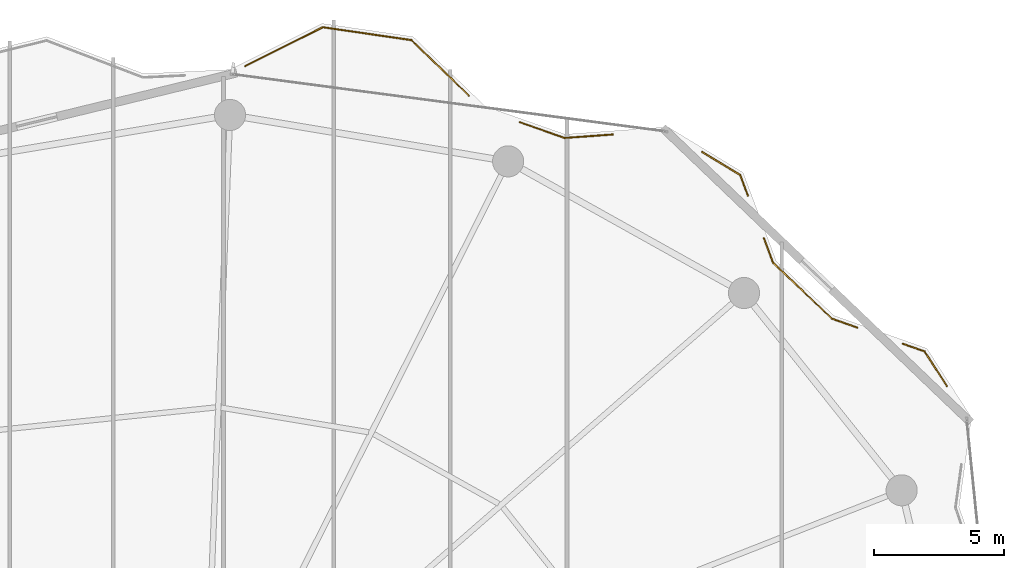
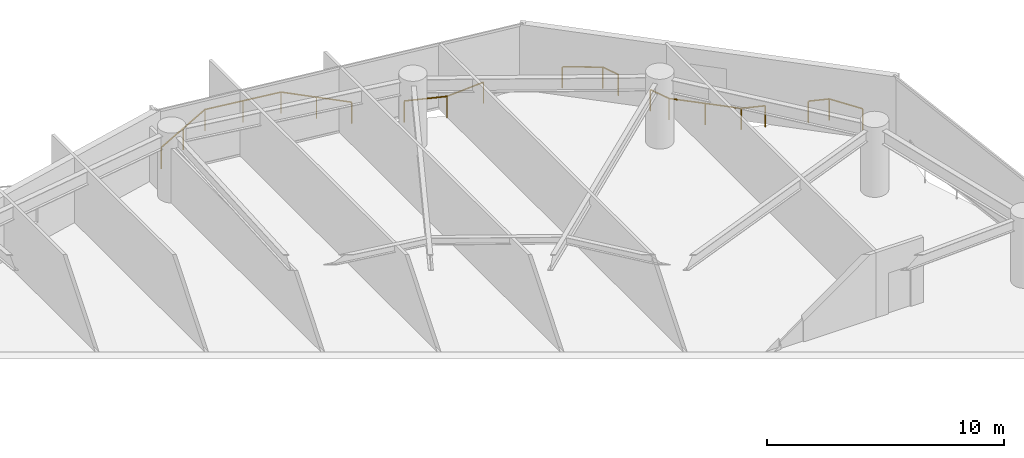
# One storey, part 31 of 31: 5 railings.
"""IFC4 building model written with IfcOpenShell, lengths in metres."""

from ifc_helpers import new_model, si_unit, direction, frame, origin, origin_2d, place, context, subcontext, project, spatial, rectangle, extrude, material, type_object, element, save


model = new_model("IFC4")

# Units and contexts
model_context = context("Model", 3, precision=1e-05, world=origin(), true_north=direction((0.0, 1.0)))
body_context = subcontext(model_context, "Body", "Model", "MODEL_VIEW")
ifc_project = project(units=[si_unit("LENGTHUNIT", "METRE"), si_unit("AREAUNIT", "SQUARE_METRE"), si_unit("VOLUMEUNIT", "CUBIC_METRE"), si_unit("PLANEANGLEUNIT", "RADIAN"), si_unit("MASSUNIT", "GRAM", prefix="KILO")], contexts=[model_context])

# Site, building, storey
site_placement = place(None, origin())
site = spatial("IfcSite", under=ifc_project, at=site_placement, CompositionType="ELEMENT")
building_placement = place(site_placement, origin())
building = spatial("IfcBuilding", under=site, at=building_placement, Name="Kazevale Care Tower and Concert Hall", CompositionType="ELEMENT")
storey_placement = place(building_placement, frame((0.0, 0.0, 117.0)))
storey = spatial("IfcBuildingStorey", under=building, at=storey_placement, Name="L30", CompositionType="ELEMENT", Elevation=117.0)

# Railings
ifc_material = material(Name="Anodised Bronze Aluminium and Laminated Glass", Category="aluminium")
railing_type = type_object("IfcRailingType", Name="Balcony and Terrace Balustrade 1120", PredefinedType="BALUSTRADE", material=ifc_material)
railing_1_placement = place(storey_placement, frame((45.58203125, 63.3349609375, 0.0)))
element("IfcRailing", 1, at=railing_1_placement, inside=storey, type_object=railing_type, Name="rail:L30:perim:6", PredefinedType="BALUSTRADE", context=body_context, shape_type="SweptSolid", body=[
    extrude(rectangle(XDim=0.048095703125, YDim=0.048095703125, at=origin_2d()), frame((0.0, 0.0, 1.09619140625), z_axis=(0.894295970648, 0.447475940003, 0.0), x_axis=(-0.447475940003, 0.894295970648, 0.0)), (0.0, 0.0, 1.0), 3.349853515625),
    extrude(rectangle(XDim=0.048095703125, YDim=0.048095703125, at=origin_2d()), frame((2.995849609375, 1.4990234375, 1.09619140625), z_axis=(0.989614943685, -0.143743741553, 0.0), x_axis=(0.143743741553, 0.989614943685, 0.0)), (0.0, 0.0, 1.0), 3.4580078125),
    extrude(rectangle(XDim=0.048095703125, YDim=0.048095703125, at=origin_2d()), frame((6.41796875, 1.001953125, 1.09619140625), z_axis=(0.719198097767, -0.694805077823, 0.0), x_axis=(0.694805077823, 0.719198097767, 0.0)), (0.0, 0.0, 1.0), 3.082763671875),
    extrude(rectangle(XDim=0.0419921875, YDim=0.0419921875, at=origin_2d()), origin(), (0.0, 0.0, 1.0), 1.072021484375),
    extrude(rectangle(XDim=0.0419921875, YDim=0.0419921875, at=origin_2d()), frame((1.498046875, 0.74951171875, 0.0)), (0.0, 0.0, 1.0), 1.072021484375),
    extrude(rectangle(XDim=0.0419921875, YDim=0.0419921875, at=origin_2d()), frame((2.995849609375, 1.4990234375, 0.0)), (0.0, 0.0, 1.0), 1.072021484375),
    extrude(rectangle(XDim=0.0419921875, YDim=0.0419921875, at=origin_2d()), frame((4.70703125, 1.25048828125, 0.0)), (0.0, 0.0, 1.0), 1.072021484375),
    extrude(rectangle(XDim=0.0419921875, YDim=0.0419921875, at=origin_2d()), frame((6.41796875, 1.001953125, 0.0)), (0.0, 0.0, 1.0), 1.072021484375),
    extrude(rectangle(XDim=0.0419921875, YDim=0.0419921875, at=origin_2d()), frame((7.5263671875, -0.06884765625, 0.0)), (0.0, 0.0, 1.0), 1.072021484375),
    extrude(rectangle(XDim=0.0419921875, YDim=0.0419921875, at=origin_2d()), frame((8.635009765625, -1.139892578125, 0.0)), (0.0, 0.0, 1.0), 1.072021484375),
])
railing_2_placement = place(storey_placement, frame((56.177001953125, 61.169921875, 0.0)))
element("IfcRailing", 2, at=railing_2_placement, inside=storey, type_object=railing_type, Name="rail:L30:perim:7", PredefinedType="BALUSTRADE", context=body_context, shape_type="SweptSolid", body=[
    extrude(rectangle(XDim=0.048095703125, YDim=0.048095703125, at=origin_2d()), frame((0.0, 0.0, 1.09619140625), z_axis=(0.943845924202, -0.330385943054, 0.0), x_axis=(0.330385943054, 0.943845924202, 0.0)), (0.0, 0.0, 1.0), 1.837158203125),
    extrude(rectangle(XDim=0.048095703125, YDim=0.048095703125, at=origin_2d()), frame((1.73388671875, -0.60693359375, 1.09619140625), z_axis=(0.997446044484, 0.071424003974, 0.0), x_axis=(-0.071424003974, 0.997446044484, 0.0)), (0.0, 0.0, 1.0), 1.86279296875),
    extrude(rectangle(XDim=0.0419921875, YDim=0.0419921875, at=origin_2d()), origin(), (0.0, 0.0, 1.0), 1.072021484375),
    extrude(rectangle(XDim=0.0419921875, YDim=0.0419921875, at=origin_2d()), frame((1.73388671875, -0.60693359375, 0.0)), (0.0, 0.0, 1.0), 1.072021484375),
    extrude(rectangle(XDim=0.0419921875, YDim=0.0419921875, at=origin_2d()), frame((3.592041015625, -0.473876953125, 0.0)), (0.0, 0.0, 1.0), 1.072021484375),
])
railing_3_placement = place(storey_placement, frame((63.218017578125, 60.02001953125, 0.0)))
element("IfcRailing", 3, at=railing_3_placement, inside=storey, type_object=railing_type, Name="rail:L30:perim:8", PredefinedType="BALUSTRADE", context=body_context, shape_type="SweptSolid", body=[
    extrude(rectangle(XDim=0.048095703125, YDim=0.048095703125, at=origin_2d()), frame((0.0, 0.0, 1.09619140625), z_axis=(0.855004324382, -0.518620868542, 0.0), x_axis=(0.518620868542, 0.855004324382, 0.0)), (0.0, 0.0, 1.0), 1.712158203125),
    extrude(rectangle(XDim=0.048095703125, YDim=0.048095703125, at=origin_2d()), frame((1.4638671875, -0.887939453125, 1.09619140625), z_axis=(0.350274461478, -0.936647106245, 0.0), x_axis=(0.936647106245, 0.350274461478, 0.0)), (0.0, 0.0, 1.0), 0.85107421875),
    extrude(rectangle(XDim=0.0419921875, YDim=0.0419921875, at=origin_2d()), origin(), (0.0, 0.0, 1.0), 1.072021484375),
    extrude(rectangle(XDim=0.0419921875, YDim=0.0419921875, at=origin_2d()), frame((1.4638671875, -0.887939453125, 0.0)), (0.0, 0.0, 1.0), 1.072021484375),
    extrude(rectangle(XDim=0.0419921875, YDim=0.0419921875, at=origin_2d()), frame((1.761962890625, -1.68505859375, 0.0)), (0.0, 0.0, 1.0), 1.072021484375),
])
railing_4_placement = place(storey_placement, frame((65.593994140625, 56.696044921875, 0.0)))
element("IfcRailing", 4, at=railing_4_placement, inside=storey, type_object=railing_type, Name="rail:L30:perim:9", PredefinedType="BALUSTRADE", context=body_context, shape_type="SweptSolid", body=[
    extrude(rectangle(XDim=0.048095703125, YDim=0.048095703125, at=origin_2d()), frame((0.0, 0.0, 1.09619140625), z_axis=(0.35059921424, -0.936525595472, 0.0), x_axis=(0.936525595472, 0.35059921424, 0.0)), (0.0, 0.0, 1.0), 1.020751953125),
    extrude(rectangle(XDim=0.048095703125, YDim=0.048095703125, at=origin_2d()), frame((0.35791015625, -0.9560546875, 1.09619140625), z_axis=(0.726387325624, -0.687285568867, 0.0), x_axis=(0.687285568867, 0.726387325624, 0.0)), (0.0, 0.0, 1.0), 3.128173828125),
    extrude(rectangle(XDim=0.048095703125, YDim=0.048095703125, at=origin_2d()), frame((2.630126953125, -3.10595703125, 1.09619140625), z_axis=(0.942764361148, -0.333459681743, 0.0), x_axis=(0.333459681743, 0.942764361148, 0.0)), (0.0, 0.0, 1.0), 1.0380859375),
    extrude(rectangle(XDim=0.0419921875, YDim=0.0419921875, at=origin_2d()), origin(), (0.0, 0.0, 1.0), 1.072021484375),
    extrude(rectangle(XDim=0.0419921875, YDim=0.0419921875, at=origin_2d()), frame((0.35791015625, -0.9560546875, 0.0)), (0.0, 0.0, 1.0), 1.072021484375),
    extrude(rectangle(XDim=0.0419921875, YDim=0.0419921875, at=origin_2d()), frame((1.494140625, -2.031005859375, 0.0)), (0.0, 0.0, 1.0), 1.072021484375),
    extrude(rectangle(XDim=0.0419921875, YDim=0.0419921875, at=origin_2d()), frame((2.630126953125, -3.10595703125, 0.0)), (0.0, 0.0, 1.0), 1.072021484375),
    extrude(rectangle(XDim=0.0419921875, YDim=0.0419921875, at=origin_2d()), frame((3.60888671875, -3.4521484375, 0.0)), (0.0, 0.0, 1.0), 1.072021484375),
])
railing_5_placement = place(storey_placement, frame((70.947021484375, 52.626953125, 0.0)))
element("IfcRailing", 5, at=railing_5_placement, inside=storey, type_object=railing_type, Name="rail:L30:perim:11", PredefinedType="BALUSTRADE", context=body_context, shape_type="SweptSolid", body=[
    extrude(rectangle(XDim=0.048095703125, YDim=0.048095703125, at=origin_2d()), frame((0.0, 0.0, 1.09619140625), z_axis=(0.94312106056, -0.332449492598, 0.0), x_axis=(0.332449492598, 0.94312106056, 0.0)), (0.0, 0.0, 1.0), 0.89599609375),
    extrude(rectangle(XDim=0.048095703125, YDim=0.048095703125, at=origin_2d()), frame((0.844970703125, -0.2978515625, 1.09619140625), z_axis=(0.542760428635, -0.839887562182, 0.0), x_axis=(0.839887562182, 0.542760428635, 0.0)), (0.0, 0.0, 1.0), 1.58837890625),
    extrude(rectangle(XDim=0.0419921875, YDim=0.0419921875, at=origin_2d()), origin(), (0.0, 0.0, 1.0), 1.072021484375),
    extrude(rectangle(XDim=0.0419921875, YDim=0.0419921875, at=origin_2d()), frame((0.844970703125, -0.2978515625, 0.0)), (0.0, 0.0, 1.0), 1.072021484375),
    extrude(rectangle(XDim=0.0419921875, YDim=0.0419921875, at=origin_2d()), frame((1.70703125, -1.6318359375, 0.0)), (0.0, 0.0, 1.0), 1.072021484375),
])

save(model, "model.ifc")
